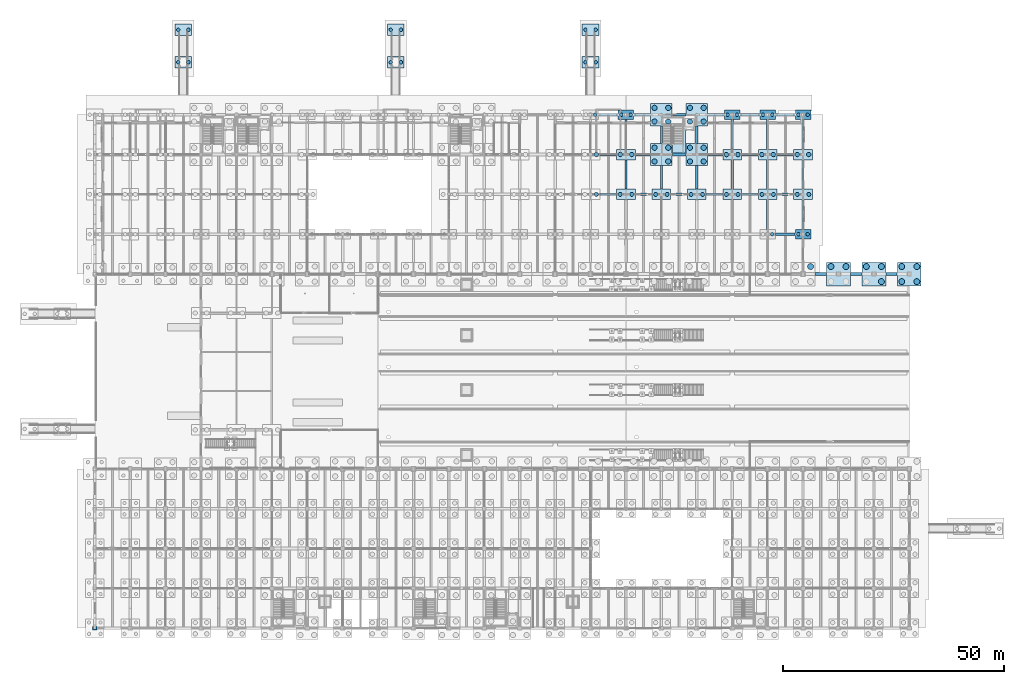
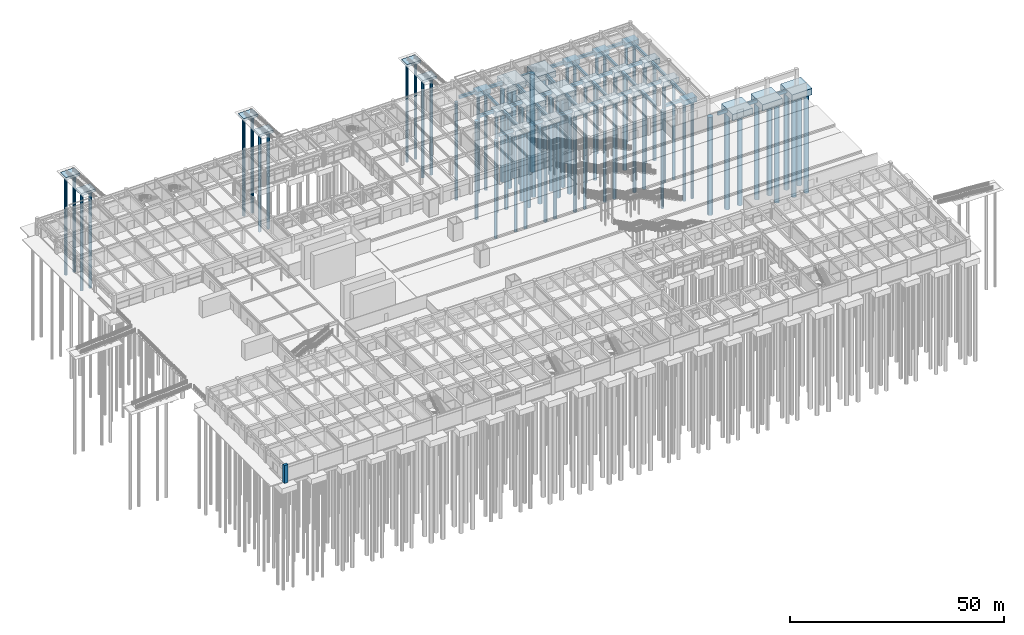
# One storey, part 10 of 147: 72 piles, 65 footings, 1 column.
"""IFC4 building model written with IfcOpenShell, lengths in metres."""

from ifc_helpers import new_model, si_unit, direction, frame, origin, origin_2d, place, context, subcontext, project, spatial, rectangle, circle, extrude, material, layer, layer_set, material_profile, profile_set, type_object, element, save


model = new_model("IFC4")

# Units and contexts
model_context = context("Model", 3, precision=1e-05, world=origin(), true_north=direction((0.0, 1.0)))
body_context = subcontext(model_context, "Body", "Model", "MODEL_VIEW")
ifc_project = project(units=[si_unit("LENGTHUNIT", "METRE"), si_unit("AREAUNIT", "SQUARE_METRE"), si_unit("VOLUMEUNIT", "CUBIC_METRE"), si_unit("PLANEANGLEUNIT", "RADIAN"), si_unit("MASSUNIT", "GRAM", prefix="KILO")], contexts=[model_context])

# Site, building, storey
site_placement = place(None, origin())
site = spatial("IfcSite", under=ifc_project, at=site_placement, CompositionType="ELEMENT")
building_placement = place(site_placement, origin())
building = spatial("IfcBuilding", under=site, at=building_placement, Name="Varnabhumi Central Station", CompositionType="ELEMENT")
storey_placement = place(building_placement, origin())
storey = spatial("IfcBuildingStorey", under=building, at=storey_placement, Name="L00", CompositionType="ELEMENT", Elevation=0.0)

# Footings
ifc_material_1 = material(Name="Concrete M40", Category="concrete")
ifc_layer_1 = layer(ifc_material_1, 1.39990234375, Name="Concrete M40", Category="concrete")
ifc_layer_set_1 = layer_set([ifc_layer_1], Name="Concrete M40")
footing_type_1 = type_object("IfcFootingType", Name="CAP-CANOPY", PredefinedType="PILE_CAP", material=ifc_layer_set_1)
for number, where, z_axis, x_axis, name in (
    (1, (20.0, 135.199951171875, -1.75), (0.0, 0.0, 1.0), (1.0, 0.0, 0.0), "RMP-NB-E Toe Pile Cap"),
    (2, (20.0, 127.85009765625, -1.7998046875), (0.0, 0.0, 1.0), (1.0, 0.0, 0.0), "RMP-NB-E Landing Pile Cap"),
    (3, (68.0, 135.199951171875, -1.75), (0.0, 0.0, 1.0), (1.0, 0.0, 0.0), "RMP-NB-M Toe Pile Cap"),
    (4, (68.0, 127.85009765625, -1.7998046875), (0.0, 0.0, 1.0), (1.0, 0.0, 0.0), "RMP-NB-M Landing Pile Cap"),
    (5, (112.0, 135.199951171875, -1.75), (0.0, 0.0, 1.0), (1.0, 0.0, 0.0), "RMP-NB-W Toe Pile Cap"),
    (6, (112.0, 127.85009765625, -1.7998046875), (0.0, 0.0, 1.0), (1.0, 0.0, 0.0), "RMP-NB-W Landing Pile Cap"),
):
    element("IfcFooting", number, at=place(storey_placement, frame(where, z_axis=z_axis, x_axis=x_axis)), inside=storey, type_object=footing_type_1, Name=name, PredefinedType="PILE_CAP", context=body_context, shape_type="SweptSolid", body=[
        extrude(rectangle(XDim=3.800048828125, YDim=2.60009765625, at=origin_2d()), origin(), (0.0, 0.0, 1.0), 0.699951171875),
    ])
ifc_layer_2 = layer(ifc_material_1, 1.75, Name="Concrete M40", Category="concrete")
ifc_layer_set_2 = layer_set([ifc_layer_2], Name="Concrete M40")
footing_type_2 = type_object("IfcFootingType", Name="CAP-CORE-6S", PredefinedType="PILE_CAP", material=ifc_layer_set_2)
for number, where, z_axis, x_axis, name in (
    (7, (128.0, 107.0, -2.050048828125), (0.0, 0.0, 1.0), (1.0, 0.0, 0.0), "Pile Cap 17-N"),
    (8, (128.0, 116.0, -2.050048828125), (0.0, 0.0, 1.0), (1.0, 0.0, 0.0), "Pile Cap 17-P"),
    (9, (136.0, 107.0, -2.050048828125), (0.0, 0.0, 1.0), (1.0, 0.0, 0.0), "Pile Cap 18-N"),
    (10, (136.0, 116.0, -2.050048828125), (0.0, 0.0, 1.0), (1.0, 0.0, 0.0), "Pile Cap 18-P"),
):
    element("IfcFooting", number, at=place(storey_placement, frame(where, z_axis=z_axis, x_axis=x_axis)), inside=storey, type_object=footing_type_2, Name=name, PredefinedType="PILE_CAP", context=body_context, shape_type="SweptSolid", body=[
        extrude(rectangle(XDim=4.89990234375, YDim=5.0, at=origin_2d()), origin(), (0.0, 0.0, 1.0), 1.75),
    ])
ifc_layer_3 = layer(ifc_material_1, 1.5, Name="Concrete M40", Category="concrete")
ifc_layer_set_3 = layer_set([ifc_layer_3], Name="Concrete M40")
footing_type_3 = type_object("IfcFootingType", Name="CAP-NORTH-INT", PredefinedType="PILE_CAP", material=ifc_layer_set_3)
for number, where, z_axis, x_axis, name in (
    (11, (120.0, 98.0, -1.800048828125), (0.0, 0.0, 1.0), (1.0, 0.0, 0.0), "Pile Cap 16-M"),
    (12, (120.0, 107.0, -1.800048828125), (0.0, 0.0, 1.0), (1.0, 0.0, 0.0), "Pile Cap 16-N"),
    (13, (128.0, 98.0, -1.800048828125), (0.0, 0.0, 1.0), (1.0, 0.0, 0.0), "Pile Cap 17-M"),
    (14, (136.0, 98.0, -1.800048828125), (0.0, 0.0, 1.0), (1.0, 0.0, 0.0), "Pile Cap 18-M"),
    (15, (144.0, 98.0, -1.800048828125), (0.0, 0.0, 1.0), (1.0, 0.0, 0.0), "Pile Cap 19-M"),
    (16, (144.0, 107.0, -1.800048828125), (0.0, 0.0, 1.0), (1.0, 0.0, 0.0), "Pile Cap 19-N"),
    (17, (152.0, 98.0, -1.800048828125), (0.0, 0.0, 1.0), (1.0, 0.0, 0.0), "Pile Cap 20-M"),
    (18, (152.0, 107.0, -1.800048828125), (0.0, 0.0, 1.0), (1.0, 0.0, 0.0), "Pile Cap 20-N"),
    (19, (160.0, 98.0, -1.800048828125), (0.0, 0.0, 1.0), (1.0, 0.0, 0.0), "Pile Cap 21-M"),
    (20, (160.0, 107.0, -1.800048828125), (0.0, 0.0, 1.0), (1.0, 0.0, 0.0), "Pile Cap 21-N"),
):
    element("IfcFooting", number, at=place(storey_placement, frame(where, z_axis=z_axis, x_axis=x_axis)), inside=storey, type_object=footing_type_3, Name=name, PredefinedType="PILE_CAP", context=body_context, shape_type="SweptSolid", body=[
        extrude(rectangle(XDim=4.199951171875, YDim=2.39990234375, at=origin_2d()), origin(), (0.0, 0.0, 1.0), 1.5),
    ])
ifc_layer_4 = layer(ifc_material_1, 1.449951171875, Name="Concrete M40", Category="concrete")
ifc_layer_set_4 = layer_set([ifc_layer_4], Name="Concrete M40")
footing_type_4 = type_object("IfcFootingType", Name="CAP-NORTH-PER", PredefinedType="PILE_CAP", material=ifc_layer_set_4)
for number, where, z_axis, x_axis, name in (
    (21, (120.0, 116.0, -1.75), (0.0, 0.0, 1.0), (1.0, 0.0, 0.0), "Pile Cap 16-P"),
    (22, (144.0, 116.0, -1.75), (0.0, 0.0, 1.0), (1.0, 0.0, 0.0), "Pile Cap 19-P"),
    (23, (152.0, 116.0, -1.75), (0.0, 0.0, 1.0), (1.0, 0.0, 0.0), "Pile Cap 20-P"),
    (24, (160.0, 89.0, -1.75), (0.0, 0.0, 1.0), (1.0, 0.0, 0.0), "Pile Cap 21-L"),
    (25, (160.0, 116.0, -1.75), (0.0, 0.0, 1.0), (1.0, 0.0, 0.0), "Pile Cap 21-P"),
):
    element("IfcFooting", number, at=place(storey_placement, frame(where, z_axis=z_axis, x_axis=x_axis)), inside=storey, type_object=footing_type_4, Name=name, PredefinedType="PILE_CAP", context=body_context, shape_type="SweptSolid", body=[
        extrude(rectangle(XDim=3.5, YDim=2.199951171875, at=origin_2d()), origin(), (0.0, 0.0, 1.0), 1.449951171875),
    ])
ifc_layer_5 = layer(ifc_material_1, 1.800048828125, Name="Concrete M40", Category="concrete")
ifc_layer_set_5 = layer_set([ifc_layer_5], Name="Concrete M40")
footing_type_5 = type_object("IfcFootingType", Name="CAP-SPINE-HVY", PredefinedType="PILE_CAP", material=ifc_layer_set_5)
for number, where, z_axis, x_axis, name in (
    (26, (168.0, 80.0, -2.10009765625), (0.0, 0.0, 1.0), (1.0, 0.0, 0.0), "Pile Cap 22-K"),
    (27, (176.0, 80.0, -2.10009765625), (0.0, 0.0, 1.0), (1.0, 0.0, 0.0), "Pile Cap 23-K"),
    (28, (184.0, 80.0, -2.10009765625), (0.0, 0.0, 1.0), (1.0, 0.0, 0.0), "Pile Cap 24-K"),
):
    element("IfcFooting", number, at=place(storey_placement, frame(where, z_axis=z_axis, x_axis=x_axis)), inside=storey, type_object=footing_type_5, Name=name, PredefinedType="PILE_CAP", context=body_context, shape_type="SweptSolid", body=[
        extrude(rectangle(XDim=5.39990234375, YDim=5.300048828125, at=origin_2d()), origin(), (0.0, 0.0, 1.0), 1.800048828125),
    ])
footing_type_6 = type_object("IfcFootingType", Name="FTG-STRIP-PLAT", PredefinedType="STRIP_FOOTING", material=ifc_material_1)
footing_1_placement = place(storey_placement, frame((132.0, 111.5, -1.60009765625), z_axis=(0.0, 0.0, 1.0), x_axis=(1.0, 0.0, 0.0)))
element("IfcFooting", 29, at=footing_1_placement, inside=storey, type_object=footing_type_6, Name="Core Foundation Mat NC3", PredefinedType="STRIP_FOOTING", context=body_context, shape_type="SweptSolid", body=[
    extrude(rectangle(XDim=2.89990234375, YDim=8.300048828125, at=origin_2d()), origin(), (0.0, 0.0, 1.0), 1.300048828125),
])
footing_type_7 = type_object("IfcFootingType", Name="FTG-TIE-500x700", PredefinedType="FOOTING_BEAM", material=ifc_material_1)
footing_2_placement = place(storey_placement, frame((120.0, 102.5, -1.0), z_axis=(0.0, 0.0, 1.0), x_axis=(1.0, 0.0, 0.0)))
element("IfcFooting", 30, at=footing_2_placement, inside=storey, type_object=footing_type_7, Name="Plinth Tie Beam 16:M-N", PredefinedType="FOOTING_BEAM", context=body_context, shape_type="SweptSolid", body=[
    extrude(rectangle(XDim=0.5, YDim=6.56005859375, at=origin_2d()), origin(), (0.0, 0.0, 1.0), 0.699951171875),
])
footing_3_placement = place(storey_placement, frame((120.0, 111.550048828125, -1.0), z_axis=(0.0, 0.0, 1.0), x_axis=(1.0, 0.0, 0.0)))
element("IfcFooting", 31, at=footing_3_placement, inside=storey, type_object=footing_type_7, Name="Plinth Tie Beam 16:N-P", PredefinedType="FOOTING_BEAM", context=body_context, shape_type="SweptSolid", body=[
    extrude(rectangle(XDim=0.5, YDim=6.659912109375, at=origin_2d()), origin(), (0.0, 0.0, 1.0), 0.699951171875),
])
footing_4_placement = place(storey_placement, frame((128.0, 101.85009765625, -1.0), z_axis=(0.0, 0.0, 1.0), x_axis=(1.0, 0.0, 0.0)))
element("IfcFooting", 32, at=footing_4_placement, inside=storey, type_object=footing_type_7, Name="Plinth Tie Beam 17:M-N", PredefinedType="FOOTING_BEAM", context=body_context, shape_type="SweptSolid", body=[
    extrude(rectangle(XDim=0.5, YDim=5.260009765625, at=origin_2d()), origin(), (0.0, 0.0, 1.0), 0.699951171875),
])
footing_5_placement = place(storey_placement, frame((128.0, 111.5, -1.0), z_axis=(0.0, 0.0, 1.0), x_axis=(1.0, 0.0, 0.0)))
element("IfcFooting", 33, at=footing_5_placement, inside=storey, type_object=footing_type_7, Name="Plinth Tie Beam 17:N-P", PredefinedType="FOOTING_BEAM", context=body_context, shape_type="SweptSolid", body=[
    extrude(rectangle(XDim=0.5, YDim=3.9599609375, at=origin_2d()), origin(), (0.0, 0.0, 1.0), 0.699951171875),
])
footing_6_placement = place(storey_placement, frame((136.0, 101.85009765625, -1.0), z_axis=(0.0, 0.0, 1.0), x_axis=(1.0, 0.0, 0.0)))
element("IfcFooting", 34, at=footing_6_placement, inside=storey, type_object=footing_type_7, Name="Plinth Tie Beam 18:M-N", PredefinedType="FOOTING_BEAM", context=body_context, shape_type="SweptSolid", body=[
    extrude(rectangle(XDim=0.5, YDim=5.260009765625, at=origin_2d()), origin(), (0.0, 0.0, 1.0), 0.699951171875),
])
footing_7_placement = place(storey_placement, frame((136.0, 111.5, -1.0), z_axis=(0.0, 0.0, 1.0), x_axis=(1.0, 0.0, 0.0)))
element("IfcFooting", 35, at=footing_7_placement, inside=storey, type_object=footing_type_7, Name="Plinth Tie Beam 18:N-P", PredefinedType="FOOTING_BEAM", context=body_context, shape_type="SweptSolid", body=[
    extrude(rectangle(XDim=0.5, YDim=3.9599609375, at=origin_2d()), origin(), (0.0, 0.0, 1.0), 0.699951171875),
])
footing_8_placement = place(storey_placement, frame((144.0, 102.5, -1.0), z_axis=(0.0, 0.0, 1.0), x_axis=(1.0, 0.0, 0.0)))
element("IfcFooting", 36, at=footing_8_placement, inside=storey, type_object=footing_type_7, Name="Plinth Tie Beam 19:M-N", PredefinedType="FOOTING_BEAM", context=body_context, shape_type="SweptSolid", body=[
    extrude(rectangle(XDim=0.5, YDim=6.56005859375, at=origin_2d()), origin(), (0.0, 0.0, 1.0), 0.699951171875),
])
for number, where, z_axis, x_axis, name in (
    (37, (144.0, 111.550048828125, -1.0), (0.0, 0.0, 1.0), (1.0, 0.0, 0.0), "Plinth Tie Beam 19:N-P"),
    (38, (152.0, 93.449951171875, -1.0), (0.0, 0.0, 1.0), (1.0, 0.0, 0.0), "Plinth Tie Beam 20:L-M"),
):
    element("IfcFooting", number, at=place(storey_placement, frame(where, z_axis=z_axis, x_axis=x_axis)), inside=storey, type_object=footing_type_7, Name=name, PredefinedType="FOOTING_BEAM", context=body_context, shape_type="SweptSolid", body=[
        extrude(rectangle(XDim=0.5, YDim=6.659912109375, at=origin_2d()), origin(), (0.0, 0.0, 1.0), 0.699951171875),
    ])
footing_9_placement = place(storey_placement, frame((152.0, 102.5, -1.0), z_axis=(0.0, 0.0, 1.0), x_axis=(1.0, 0.0, 0.0)))
element("IfcFooting", 39, at=footing_9_placement, inside=storey, type_object=footing_type_7, Name="Plinth Tie Beam 20:M-N", PredefinedType="FOOTING_BEAM", context=body_context, shape_type="SweptSolid", body=[
    extrude(rectangle(XDim=0.5, YDim=6.56005859375, at=origin_2d()), origin(), (0.0, 0.0, 1.0), 0.699951171875),
])
for number, where, z_axis, x_axis, name in (
    (40, (152.0, 111.550048828125, -1.0), (0.0, 0.0, 1.0), (1.0, 0.0, 0.0), "Plinth Tie Beam 20:N-P"),
    (41, (160.0, 93.449951171875, -1.0), (0.0, 0.0, 1.0), (1.0, 0.0, 0.0), "Plinth Tie Beam 21:L-M"),
):
    element("IfcFooting", number, at=place(storey_placement, frame(where, z_axis=z_axis, x_axis=x_axis)), inside=storey, type_object=footing_type_7, Name=name, PredefinedType="FOOTING_BEAM", context=body_context, shape_type="SweptSolid", body=[
        extrude(rectangle(XDim=0.5, YDim=6.659912109375, at=origin_2d()), origin(), (0.0, 0.0, 1.0), 0.699951171875),
    ])
footing_10_placement = place(storey_placement, frame((160.0, 102.5, -1.0), z_axis=(0.0, 0.0, 1.0), x_axis=(1.0, 0.0, 0.0)))
element("IfcFooting", 42, at=footing_10_placement, inside=storey, type_object=footing_type_7, Name="Plinth Tie Beam 21:M-N", PredefinedType="FOOTING_BEAM", context=body_context, shape_type="SweptSolid", body=[
    extrude(rectangle(XDim=0.5, YDim=6.56005859375, at=origin_2d()), origin(), (0.0, 0.0, 1.0), 0.699951171875),
])
footing_11_placement = place(storey_placement, frame((160.0, 111.550048828125, -1.0), z_axis=(0.0, 0.0, 1.0), x_axis=(1.0, 0.0, 0.0)))
element("IfcFooting", 43, at=footing_11_placement, inside=storey, type_object=footing_type_7, Name="Plinth Tie Beam 21:N-P", PredefinedType="FOOTING_BEAM", context=body_context, shape_type="SweptSolid", body=[
    extrude(rectangle(XDim=0.5, YDim=6.659912109375, at=origin_2d()), origin(), (0.0, 0.0, 1.0), 0.699951171875),
])
footing_type_8 = type_object("IfcFootingType", Name="FTG-TIE-600x800", PredefinedType="FOOTING_BEAM", material=ifc_material_1)
for number, where, z_axis, x_axis, name in (
    (44, (116.0, 98.0, -1.10009765625), (0.0, 0.0, 1.0), (1.0, 0.0, 0.0), "Plinth Tie Beam M:15-16"),
    (45, (116.0, 107.0, -1.10009765625), (0.0, 0.0, 1.0), (1.0, 0.0, 0.0), "Plinth Tie Beam N:15-16"),
):
    element("IfcFooting", number, at=place(storey_placement, frame(where, z_axis=z_axis, x_axis=x_axis)), inside=storey, type_object=footing_type_8, Name=name, PredefinedType="FOOTING_BEAM", context=body_context, shape_type="SweptSolid", body=[
        extrude(rectangle(XDim=3.760009765625, YDim=0.60009765625, at=origin_2d()), origin(), (0.0, 0.0, 1.0), 0.800048828125),
    ])
footing_12_placement = place(storey_placement, frame((116.0, 116.0, -1.10009765625), z_axis=(0.0, 0.0, 1.0), x_axis=(1.0, 0.0, 0.0)))
element("IfcFooting", 46, at=footing_12_placement, inside=storey, type_object=footing_type_8, Name="Plinth Tie Beam P:15-16", PredefinedType="FOOTING_BEAM", context=body_context, shape_type="SweptSolid", body=[
    extrude(rectangle(XDim=4.4599609375, YDim=0.60009765625, at=origin_2d()), origin(), (0.0, 0.0, 1.0), 0.800048828125),
])
footing_13_placement = place(storey_placement, frame((124.0, 98.0, -1.10009765625), z_axis=(0.0, 0.0, 1.0), x_axis=(1.0, 0.0, 0.0)))
element("IfcFooting", 47, at=footing_13_placement, inside=storey, type_object=footing_type_8, Name="Plinth Tie Beam M:16-17", PredefinedType="FOOTING_BEAM", context=body_context, shape_type="SweptSolid", body=[
    extrude(rectangle(XDim=3.760009765625, YDim=0.60009765625, at=origin_2d()), origin(), (0.0, 0.0, 1.0), 0.800048828125),
])
footing_14_placement = place(storey_placement, frame((123.824951171875, 107.0, -1.10009765625), z_axis=(0.0, 0.0, 1.0), x_axis=(1.0, 0.0, 0.0)))
element("IfcFooting", 48, at=footing_14_placement, inside=storey, type_object=footing_type_8, Name="Plinth Tie Beam N:16-17", PredefinedType="FOOTING_BEAM", context=body_context, shape_type="SweptSolid", body=[
    extrude(rectangle(XDim=3.409912109375, YDim=0.60009765625, at=origin_2d()), origin(), (0.0, 0.0, 1.0), 0.800048828125),
])
for number, where, z_axis, x_axis, name in (
    (49, (123.64990234375, 116.0, -1.10009765625), (0.0, 0.0, 1.0), (1.0, 0.0, 0.0), "Plinth Tie Beam P:16-17"),
    (50, (132.0, 98.0, -1.10009765625), (0.0, 0.0, 1.0), (1.0, 0.0, 0.0), "Plinth Tie Beam M:17-18"),
):
    element("IfcFooting", number, at=place(storey_placement, frame(where, z_axis=z_axis, x_axis=x_axis)), inside=storey, type_object=footing_type_8, Name=name, PredefinedType="FOOTING_BEAM", context=body_context, shape_type="SweptSolid", body=[
        extrude(rectangle(XDim=3.760009765625, YDim=0.60009765625, at=origin_2d()), origin(), (0.0, 0.0, 1.0), 0.800048828125),
    ])
for number, where, z_axis, x_axis, name in (
    (51, (132.0, 107.0, -1.10009765625), (0.0, 0.0, 1.0), (1.0, 0.0, 0.0), "Plinth Tie Beam N:17-18"),
    (52, (132.0, 116.0, -1.10009765625), (0.0, 0.0, 1.0), (1.0, 0.0, 0.0), "Plinth Tie Beam P:17-18"),
):
    element("IfcFooting", number, at=place(storey_placement, frame(where, z_axis=z_axis, x_axis=x_axis)), inside=storey, type_object=footing_type_8, Name=name, PredefinedType="FOOTING_BEAM", context=body_context, shape_type="SweptSolid", body=[
        extrude(rectangle(XDim=3.06005859375, YDim=0.60009765625, at=origin_2d()), origin(), (0.0, 0.0, 1.0), 0.800048828125),
    ])
footing_15_placement = place(storey_placement, frame((140.0, 98.0, -1.10009765625), z_axis=(0.0, 0.0, 1.0), x_axis=(1.0, 0.0, 0.0)))
element("IfcFooting", 53, at=footing_15_placement, inside=storey, type_object=footing_type_8, Name="Plinth Tie Beam M:18-19", PredefinedType="FOOTING_BEAM", context=body_context, shape_type="SweptSolid", body=[
    extrude(rectangle(XDim=3.760009765625, YDim=0.60009765625, at=origin_2d()), origin(), (0.0, 0.0, 1.0), 0.800048828125),
])
footing_16_placement = place(storey_placement, frame((140.175048828125, 107.0, -1.10009765625), z_axis=(0.0, 0.0, 1.0), x_axis=(1.0, 0.0, 0.0)))
element("IfcFooting", 54, at=footing_16_placement, inside=storey, type_object=footing_type_8, Name="Plinth Tie Beam N:18-19", PredefinedType="FOOTING_BEAM", context=body_context, shape_type="SweptSolid", body=[
    extrude(rectangle(XDim=3.409912109375, YDim=0.60009765625, at=origin_2d()), origin(), (0.0, 0.0, 1.0), 0.800048828125),
])
for number, where, z_axis, x_axis, name in (
    (55, (140.35009765625, 116.0, -1.10009765625), (0.0, 0.0, 1.0), (1.0, 0.0, 0.0), "Plinth Tie Beam P:18-19"),
    (56, (148.0, 98.0, -1.10009765625), (0.0, 0.0, 1.0), (1.0, 0.0, 0.0), "Plinth Tie Beam M:19-20"),
    (57, (148.0, 107.0, -1.10009765625), (0.0, 0.0, 1.0), (1.0, 0.0, 0.0), "Plinth Tie Beam N:19-20"),
):
    element("IfcFooting", number, at=place(storey_placement, frame(where, z_axis=z_axis, x_axis=x_axis)), inside=storey, type_object=footing_type_8, Name=name, PredefinedType="FOOTING_BEAM", context=body_context, shape_type="SweptSolid", body=[
        extrude(rectangle(XDim=3.760009765625, YDim=0.60009765625, at=origin_2d()), origin(), (0.0, 0.0, 1.0), 0.800048828125),
    ])
for number, where, z_axis, x_axis, name in (
    (58, (148.0, 116.0, -1.10009765625), (0.0, 0.0, 1.0), (1.0, 0.0, 0.0), "Plinth Tie Beam P:19-20"),
    (59, (156.0, 89.0, -1.10009765625), (0.0, 0.0, 1.0), (1.0, 0.0, 0.0), "Plinth Tie Beam L:20-21"),
):
    element("IfcFooting", number, at=place(storey_placement, frame(where, z_axis=z_axis, x_axis=x_axis)), inside=storey, type_object=footing_type_8, Name=name, PredefinedType="FOOTING_BEAM", context=body_context, shape_type="SweptSolid", body=[
        extrude(rectangle(XDim=4.4599609375, YDim=0.60009765625, at=origin_2d()), origin(), (0.0, 0.0, 1.0), 0.800048828125),
    ])
for number, where, z_axis, x_axis, name in (
    (60, (156.0, 98.0, -1.10009765625), (0.0, 0.0, 1.0), (1.0, 0.0, 0.0), "Plinth Tie Beam M:20-21"),
    (61, (156.0, 107.0, -1.10009765625), (0.0, 0.0, 1.0), (1.0, 0.0, 0.0), "Plinth Tie Beam N:20-21"),
):
    element("IfcFooting", number, at=place(storey_placement, frame(where, z_axis=z_axis, x_axis=x_axis)), inside=storey, type_object=footing_type_8, Name=name, PredefinedType="FOOTING_BEAM", context=body_context, shape_type="SweptSolid", body=[
        extrude(rectangle(XDim=3.760009765625, YDim=0.60009765625, at=origin_2d()), origin(), (0.0, 0.0, 1.0), 0.800048828125),
    ])
footing_17_placement = place(storey_placement, frame((156.0, 116.0, -1.10009765625), z_axis=(0.0, 0.0, 1.0), x_axis=(1.0, 0.0, 0.0)))
element("IfcFooting", 62, at=footing_17_placement, inside=storey, type_object=footing_type_8, Name="Plinth Tie Beam P:20-21", PredefinedType="FOOTING_BEAM", context=body_context, shape_type="SweptSolid", body=[
    extrude(rectangle(XDim=4.4599609375, YDim=0.60009765625, at=origin_2d()), origin(), (0.0, 0.0, 1.0), 0.800048828125),
])
for number, where, z_axis, x_axis, name in (
    (63, (164.0, 80.0, -1.10009765625), (0.0, 0.0, 1.0), (1.0, 0.0, 0.0), "Plinth Tie Beam K:21-22"),
    (64, (172.0, 80.0, -1.10009765625), (0.0, 0.0, 1.0), (1.0, 0.0, 0.0), "Plinth Tie Beam K:22-23"),
    (65, (180.0, 80.0, -1.10009765625), (0.0, 0.0, 1.0), (1.0, 0.0, 0.0), "Plinth Tie Beam K:23-24"),
):
    element("IfcFooting", number, at=place(storey_placement, frame(where, z_axis=z_axis, x_axis=x_axis)), inside=storey, type_object=footing_type_8, Name=name, PredefinedType="FOOTING_BEAM", context=body_context, shape_type="SweptSolid", body=[
        extrude(rectangle(XDim=2.56005859375, YDim=0.60009765625, at=origin_2d()), origin(), (0.0, 0.0, 1.0), 0.800048828125),
    ])

# Piles
ifc_material_2 = material(Name="Concrete M35", Category="concrete")
ifc_material_profile_1 = material_profile(ifc_material_2, circle(Radius=0.5, at=origin_2d()), Name="Concrete M35", Category="concrete")
ifc_profile_set_1 = profile_set([ifc_material_profile_1], Name="Concrete M35")
pile_type_1 = type_object("IfcPileType", Name="PILE-D1000", PredefinedType="BORED", material=ifc_profile_set_1)
for number, where, z_axis, x_axis, name in (
    (66, (113.300048828125, 107.0, -1.699951171875), (0.0, 0.0, -1.0), (1.0, 0.0, 0.0), "Bored Pile 15-N-P2"),
    (67, (118.699951171875, 107.0, -1.699951171875), (0.0, 0.0, -1.0), (1.0, 0.0, 0.0), "Bored Pile 16-N-P1"),
    (68, (121.300048828125, 107.0, -1.699951171875), (0.0, 0.0, -1.0), (1.0, 0.0, 0.0), "Bored Pile 16-N-P2"),
    (69, (142.699951171875, 107.0, -1.699951171875), (0.0, 0.0, -1.0), (1.0, 0.0, 0.0), "Bored Pile 19-N-P1"),
    (70, (145.300048828125, 107.0, -1.699951171875), (0.0, 0.0, -1.0), (1.0, 0.0, 0.0), "Bored Pile 19-N-P2"),
    (71, (150.699951171875, 107.0, -1.699951171875), (0.0, 0.0, -1.0), (1.0, 0.0, 0.0), "Bored Pile 20-N-P1"),
    (72, (153.300048828125, 107.0, -1.699951171875), (0.0, 0.0, -1.0), (1.0, 0.0, 0.0), "Bored Pile 20-N-P2"),
    (73, (158.699951171875, 107.0, -1.699951171875), (0.0, 0.0, -1.0), (1.0, 0.0, 0.0), "Bored Pile 21-N-P1"),
    (74, (161.300048828125, 107.0, -1.699951171875), (0.0, 0.0, -1.0), (1.0, 0.0, 0.0), "Bored Pile 21-N-P2"),
):
    element("IfcPile", number, at=place(storey_placement, frame(where, z_axis=z_axis, x_axis=x_axis)), inside=storey, type_object=pile_type_1, Name=name, PredefinedType="BORED", context=body_context, shape_type="SweptSolid", body=[
        extrude(circle(Radius=0.5, at=origin_2d()), origin(), (0.0, 0.0, 1.0), 28.0),
    ])
ifc_material_profile_2 = material_profile(ifc_material_2, circle(Radius=0.60009765625, at=origin_2d()), Name="Concrete M35", Category="concrete")
ifc_profile_set_2 = profile_set([ifc_material_profile_2], Name="Concrete M35")
pile_type_2 = type_object("IfcPileType", Name="PILE-D1200", PredefinedType="BORED", material=ifc_profile_set_2)
for number, where, z_axis, x_axis, name in (
    (75, (126.449951171875, 105.449951171875, -1.949951171875), (0.0, 0.0, -1.0), (1.0, 0.0, 0.0), "Bored Pile 17-N-P1"),
    (76, (129.550048828125, 105.449951171875, -1.949951171875), (0.0, 0.0, -1.0), (1.0, 0.0, 0.0), "Bored Pile 17-N-P2"),
    (77, (126.449951171875, 108.550048828125, -1.949951171875), (0.0, 0.0, -1.0), (1.0, 0.0, 0.0), "Bored Pile 17-N-P3"),
    (78, (129.550048828125, 108.550048828125, -1.949951171875), (0.0, 0.0, -1.0), (1.0, 0.0, 0.0), "Bored Pile 17-N-P4"),
    (79, (126.449951171875, 114.449951171875, -1.949951171875), (0.0, 0.0, -1.0), (1.0, 0.0, 0.0), "Bored Pile 17-P-P1"),
    (80, (129.550048828125, 114.449951171875, -1.949951171875), (0.0, 0.0, -1.0), (1.0, 0.0, 0.0), "Bored Pile 17-P-P2"),
    (81, (126.449951171875, 117.550048828125, -1.949951171875), (0.0, 0.0, -1.0), (1.0, 0.0, 0.0), "Bored Pile 17-P-P3"),
    (82, (129.550048828125, 117.550048828125, -1.949951171875), (0.0, 0.0, -1.0), (1.0, 0.0, 0.0), "Bored Pile 17-P-P4"),
    (83, (134.449951171875, 105.449951171875, -1.949951171875), (0.0, 0.0, -1.0), (1.0, 0.0, 0.0), "Bored Pile 18-N-P1"),
    (84, (137.550048828125, 105.449951171875, -1.949951171875), (0.0, 0.0, -1.0), (1.0, 0.0, 0.0), "Bored Pile 18-N-P2"),
    (85, (134.449951171875, 108.550048828125, -1.949951171875), (0.0, 0.0, -1.0), (1.0, 0.0, 0.0), "Bored Pile 18-N-P3"),
    (86, (137.550048828125, 108.550048828125, -1.949951171875), (0.0, 0.0, -1.0), (1.0, 0.0, 0.0), "Bored Pile 18-N-P4"),
    (87, (134.449951171875, 114.449951171875, -1.949951171875), (0.0, 0.0, -1.0), (1.0, 0.0, 0.0), "Bored Pile 18-P-P1"),
    (88, (137.550048828125, 114.449951171875, -1.949951171875), (0.0, 0.0, -1.0), (1.0, 0.0, 0.0), "Bored Pile 18-P-P2"),
    (89, (134.449951171875, 117.550048828125, -1.949951171875), (0.0, 0.0, -1.0), (1.0, 0.0, 0.0), "Bored Pile 18-P-P3"),
    (90, (137.550048828125, 117.550048828125, -1.949951171875), (0.0, 0.0, -1.0), (1.0, 0.0, 0.0), "Bored Pile 18-P-P4"),
):
    element("IfcPile", number, at=place(storey_placement, frame(where, z_axis=z_axis, x_axis=x_axis)), inside=storey, type_object=pile_type_2, Name=name, PredefinedType="BORED", context=body_context, shape_type="SweptSolid", body=[
        extrude(circle(Radius=0.60009765625, at=origin_2d()), origin(), (0.0, 0.0, 1.0), 28.0),
    ])
ifc_material_profile_3 = material_profile(ifc_material_2, circle(Radius=0.675048828125, at=origin_2d()), Name="Concrete M35", Category="concrete")
ifc_profile_set_3 = profile_set([ifc_material_profile_3], Name="Concrete M35")
pile_type_3 = type_object("IfcPileType", Name="PILE-D1350", PredefinedType="BORED", material=ifc_profile_set_3)
for number, where, z_axis, x_axis, name in (
    (91, (161.699951171875, 81.699951171875, -2.0), (0.0, 0.0, -1.0), (1.0, 0.0, 0.0), "Bored Pile 21-K-P4"),
    (92, (166.300048828125, 81.699951171875, -2.0), (0.0, 0.0, -1.0), (1.0, 0.0, 0.0), "Bored Pile 22-K-P3"),
    (93, (169.699951171875, 81.699951171875, -2.0), (0.0, 0.0, -1.0), (1.0, 0.0, 0.0), "Bored Pile 22-K-P4"),
    (94, (177.699951171875, 78.300048828125, -2.0), (0.0, 0.0, -1.0), (1.0, 0.0, 0.0), "Bored Pile 23-K-P2"),
    (95, (174.300048828125, 81.699951171875, -2.0), (0.0, 0.0, -1.0), (1.0, 0.0, 0.0), "Bored Pile 23-K-P3"),
    (96, (177.699951171875, 81.699951171875, -2.0), (0.0, 0.0, -1.0), (1.0, 0.0, 0.0), "Bored Pile 23-K-P4"),
    (97, (182.300048828125, 78.300048828125, -2.0), (0.0, 0.0, -1.0), (1.0, 0.0, 0.0), "Bored Pile 24-K-P1"),
    (98, (185.699951171875, 78.300048828125, -2.0), (0.0, 0.0, -1.0), (1.0, 0.0, 0.0), "Bored Pile 24-K-P2"),
    (99, (182.300048828125, 81.699951171875, -2.0), (0.0, 0.0, -1.0), (1.0, 0.0, 0.0), "Bored Pile 24-K-P3"),
    (100, (185.699951171875, 81.699951171875, -2.0), (0.0, 0.0, -1.0), (1.0, 0.0, 0.0), "Bored Pile 24-K-P4"),
):
    element("IfcPile", number, at=place(storey_placement, frame(where, z_axis=z_axis, x_axis=x_axis)), inside=storey, type_object=pile_type_3, Name=name, PredefinedType="BORED", context=body_context, shape_type="SweptSolid", body=[
        extrude(circle(Radius=0.675048828125, at=origin_2d()), origin(), (0.0, 0.0, 1.0), 28.0),
    ])
ifc_material_profile_4 = material_profile(ifc_material_2, circle(Radius=0.39990234375, at=origin_2d()), Name="Concrete M35", Category="concrete")
ifc_profile_set_4 = profile_set([ifc_material_profile_4], Name="Concrete M35")
pile_type_4 = type_object("IfcPileType", Name="PILE-D800", PredefinedType="BORED", material=ifc_profile_set_4)
for number, where, z_axis, x_axis, name in (
    (101, (113.050048828125, 116.0, -1.64990234375), (0.0, 0.0, -1.0), (1.0, 0.0, 0.0), "Bored Pile 15-P-P2"),
    (102, (118.949951171875, 116.0, -1.64990234375), (0.0, 0.0, -1.0), (1.0, 0.0, 0.0), "Bored Pile 16-P-P1"),
    (103, (121.050048828125, 116.0, -1.64990234375), (0.0, 0.0, -1.0), (1.0, 0.0, 0.0), "Bored Pile 16-P-P2"),
    (104, (142.949951171875, 116.0, -1.64990234375), (0.0, 0.0, -1.0), (1.0, 0.0, 0.0), "Bored Pile 19-P-P1"),
    (105, (145.050048828125, 116.0, -1.64990234375), (0.0, 0.0, -1.0), (1.0, 0.0, 0.0), "Bored Pile 19-P-P2"),
    (106, (153.050048828125, 89.0, -1.64990234375), (0.0, 0.0, -1.0), (1.0, 0.0, 0.0), "Bored Pile 20-L-P2"),
    (107, (150.949951171875, 116.0, -1.64990234375), (0.0, 0.0, -1.0), (1.0, 0.0, 0.0), "Bored Pile 20-P-P1"),
    (108, (153.050048828125, 116.0, -1.64990234375), (0.0, 0.0, -1.0), (1.0, 0.0, 0.0), "Bored Pile 20-P-P2"),
    (109, (158.949951171875, 89.0, -1.64990234375), (0.0, 0.0, -1.0), (1.0, 0.0, 0.0), "Bored Pile 21-L-P1"),
    (110, (161.050048828125, 89.0, -1.64990234375), (0.0, 0.0, -1.0), (1.0, 0.0, 0.0), "Bored Pile 21-L-P2"),
    (111, (158.949951171875, 116.0, -1.64990234375), (0.0, 0.0, -1.0), (1.0, 0.0, 0.0), "Bored Pile 21-P-P1"),
    (112, (161.050048828125, 116.0, -1.64990234375), (0.0, 0.0, -1.0), (1.0, 0.0, 0.0), "Bored Pile 21-P-P2"),
    (113, (18.85009765625, 135.199951171875, -1.64990234375), (0.0, 0.0, -1.0), (1.0, 0.0, 0.0), "Bored Pile RMP-NB-E-Toe-1"),
    (114, (21.14990234375, 135.199951171875, -1.64990234375), (0.0, 0.0, -1.0), (1.0, 0.0, 0.0), "Bored Pile RMP-NB-E-Toe-2"),
    (115, (18.85009765625, 127.85009765625, -1.699951171875), (0.0, 0.0, -1.0), (1.0, 0.0, 0.0), "Bored Pile RMP-NB-E-Land-1"),
    (116, (21.14990234375, 127.85009765625, -1.699951171875), (0.0, 0.0, -1.0), (1.0, 0.0, 0.0), "Bored Pile RMP-NB-E-Land-2"),
    (117, (66.85009765625, 135.199951171875, -1.64990234375), (0.0, 0.0, -1.0), (1.0, 0.0, 0.0), "Bored Pile RMP-NB-M-Toe-1"),
    (118, (69.14990234375, 135.199951171875, -1.64990234375), (0.0, 0.0, -1.0), (1.0, 0.0, 0.0), "Bored Pile RMP-NB-M-Toe-2"),
    (119, (66.85009765625, 127.85009765625, -1.699951171875), (0.0, 0.0, -1.0), (1.0, 0.0, 0.0), "Bored Pile RMP-NB-M-Land-1"),
    (120, (69.14990234375, 127.85009765625, -1.699951171875), (0.0, 0.0, -1.0), (1.0, 0.0, 0.0), "Bored Pile RMP-NB-M-Land-2"),
    (121, (110.85009765625, 135.199951171875, -1.64990234375), (0.0, 0.0, -1.0), (1.0, 0.0, 0.0), "Bored Pile RMP-NB-W-Toe-1"),
    (122, (113.14990234375, 135.199951171875, -1.64990234375), (0.0, 0.0, -1.0), (1.0, 0.0, 0.0), "Bored Pile RMP-NB-W-Toe-2"),
    (123, (110.85009765625, 127.85009765625, -1.699951171875), (0.0, 0.0, -1.0), (1.0, 0.0, 0.0), "Bored Pile RMP-NB-W-Land-1"),
    (124, (113.14990234375, 127.85009765625, -1.699951171875), (0.0, 0.0, -1.0), (1.0, 0.0, 0.0), "Bored Pile RMP-NB-W-Land-2"),
):
    element("IfcPile", number, at=place(storey_placement, frame(where, z_axis=z_axis, x_axis=x_axis)), inside=storey, type_object=pile_type_4, Name=name, PredefinedType="BORED", context=body_context, shape_type="SweptSolid", body=[
        extrude(circle(Radius=0.39990234375, at=origin_2d()), origin(), (0.0, 0.0, 1.0), 28.0),
    ])
ifc_material_profile_5 = material_profile(ifc_material_2, circle(Radius=0.449951171875, at=origin_2d()), Name="Concrete M35", Category="concrete")
ifc_profile_set_5 = profile_set([ifc_material_profile_5], Name="Concrete M35")
pile_type_5 = type_object("IfcPileType", Name="PILE-D900", PredefinedType="BORED", material=ifc_profile_set_5)
for number, where, z_axis, x_axis, name in (
    (125, (113.300048828125, 98.0, -1.699951171875), (0.0, 0.0, -1.0), (1.0, 0.0, 0.0), "Bored Pile 15-M-P2"),
    (126, (118.699951171875, 98.0, -1.699951171875), (0.0, 0.0, -1.0), (1.0, 0.0, 0.0), "Bored Pile 16-M-P1"),
    (127, (121.300048828125, 98.0, -1.699951171875), (0.0, 0.0, -1.0), (1.0, 0.0, 0.0), "Bored Pile 16-M-P2"),
    (128, (126.699951171875, 98.0, -1.699951171875), (0.0, 0.0, -1.0), (1.0, 0.0, 0.0), "Bored Pile 17-M-P1"),
    (129, (129.300048828125, 98.0, -1.699951171875), (0.0, 0.0, -1.0), (1.0, 0.0, 0.0), "Bored Pile 17-M-P2"),
    (130, (134.699951171875, 98.0, -1.699951171875), (0.0, 0.0, -1.0), (1.0, 0.0, 0.0), "Bored Pile 18-M-P1"),
    (131, (137.300048828125, 98.0, -1.699951171875), (0.0, 0.0, -1.0), (1.0, 0.0, 0.0), "Bored Pile 18-M-P2"),
    (132, (142.699951171875, 98.0, -1.699951171875), (0.0, 0.0, -1.0), (1.0, 0.0, 0.0), "Bored Pile 19-M-P1"),
    (133, (145.300048828125, 98.0, -1.699951171875), (0.0, 0.0, -1.0), (1.0, 0.0, 0.0), "Bored Pile 19-M-P2"),
    (134, (150.699951171875, 98.0, -1.699951171875), (0.0, 0.0, -1.0), (1.0, 0.0, 0.0), "Bored Pile 20-M-P1"),
    (135, (153.300048828125, 98.0, -1.699951171875), (0.0, 0.0, -1.0), (1.0, 0.0, 0.0), "Bored Pile 20-M-P2"),
    (136, (158.699951171875, 98.0, -1.699951171875), (0.0, 0.0, -1.0), (1.0, 0.0, 0.0), "Bored Pile 21-M-P1"),
    (137, (161.300048828125, 98.0, -1.699951171875), (0.0, 0.0, -1.0), (1.0, 0.0, 0.0), "Bored Pile 21-M-P2"),
):
    element("IfcPile", number, at=place(storey_placement, frame(where, z_axis=z_axis, x_axis=x_axis)), inside=storey, type_object=pile_type_5, Name=name, PredefinedType="BORED", context=body_context, shape_type="SweptSolid", body=[
        extrude(circle(Radius=0.449951171875, at=origin_2d()), origin(), (0.0, 0.0, 1.0), 28.0),
    ])

# Column
ifc_material_3 = material(Name="Concrete M50", Category="concrete")
ifc_material_profile_6 = material_profile(ifc_material_3, rectangle(XDim=1.0, YDim=0.75, at=origin_2d()), Name="Concrete M50", Category="concrete")
ifc_profile_set_6 = profile_set([ifc_material_profile_6], Name="Concrete M50")
column_type = type_object("IfcColumnType", Name="COL-RC-1000x750", PredefinedType="PILASTER", material=ifc_profile_set_6)
column_placement = place(storey_placement, frame((0.0, 0.0, -0.300048828125), z_axis=(0.0, 0.0, 1.0), x_axis=(1.0, 0.0, 0.0)))
element("IfcColumn", 138, at=column_placement, inside=storey, type_object=column_type, Name="Column L00-1A", PredefinedType="PILASTER", context=body_context, shape_type="SweptSolid", body=[
    extrude(rectangle(XDim=1.0, YDim=0.75, at=origin_2d()), origin(), (0.0, 0.0, 1.0), 5.10009765625),
])

save(model, "model.ifc")
